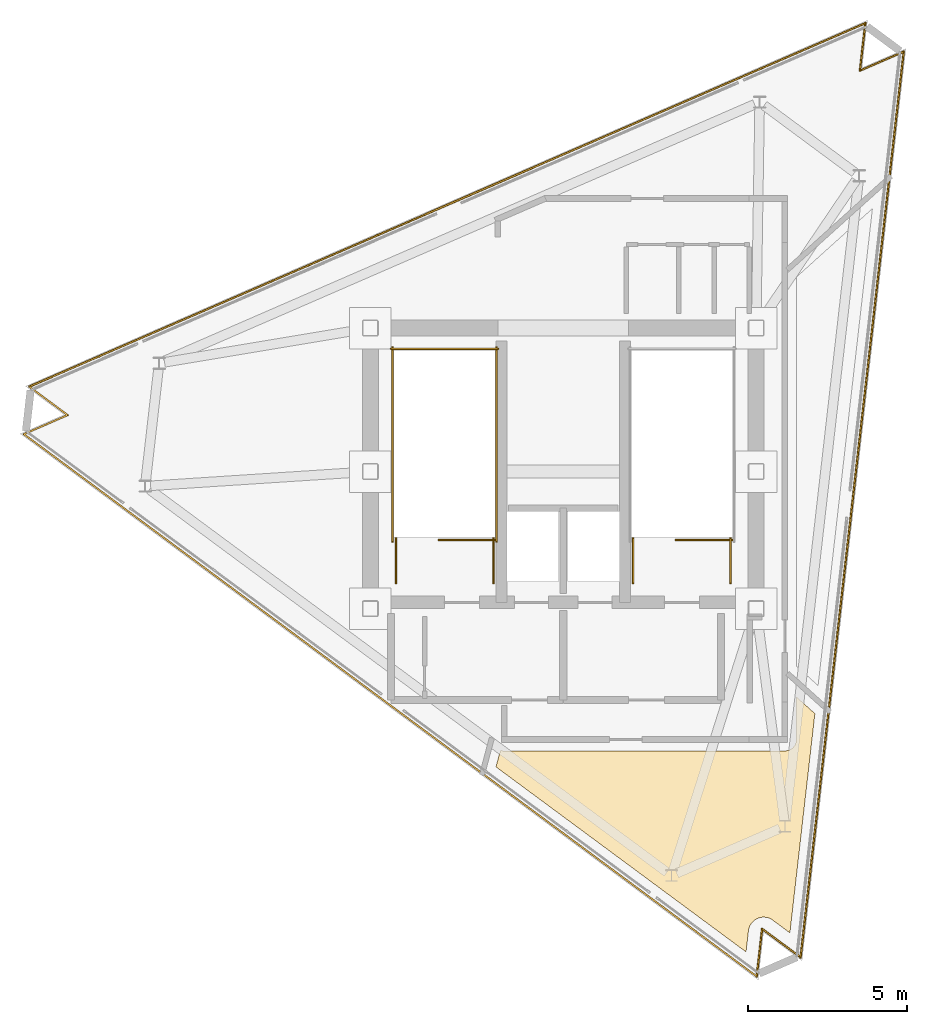
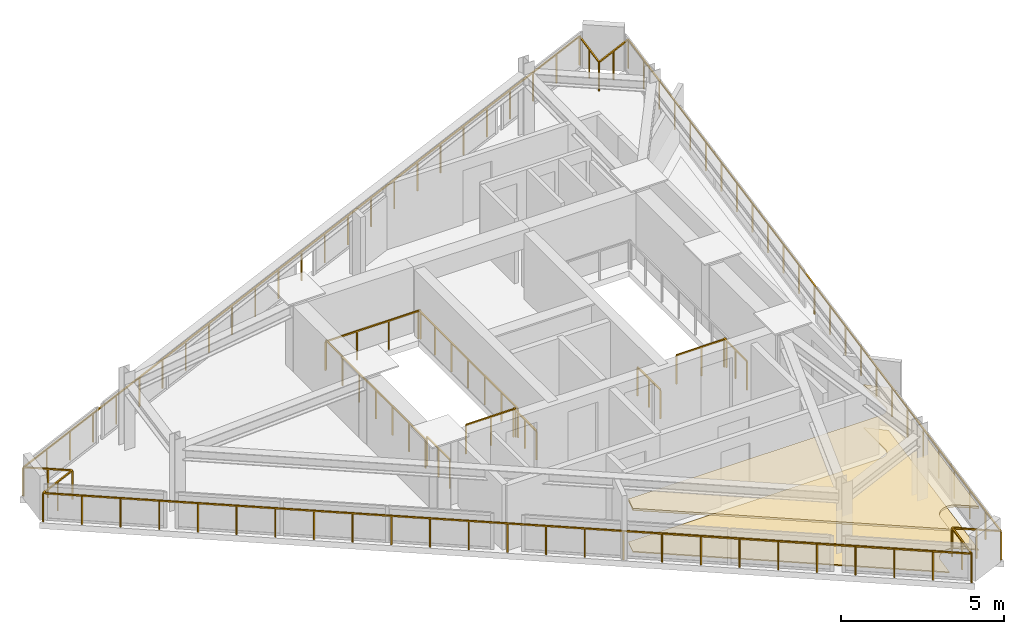
# One storey, part 8 of 9: 12 railings, 2 coverings.
"""IFC4 building model written with IfcOpenShell, lengths in metres."""

from ifc_helpers import new_model, si_unit, direction, frame, origin, origin_2d, place, context, subcontext, project, spatial, polyline, rectangle, outline, extrude, material, layer, layer_set, type_object, element, save


model = new_model("IFC4")

# Units and contexts
model_context = context("Model", 3, precision=1e-05, world=origin(), true_north=direction((0.0, 1.0)))
body_context = subcontext(model_context, "Body", "Model", "MODEL_VIEW")
ifc_project = project(units=[si_unit("LENGTHUNIT", "METRE"), si_unit("AREAUNIT", "SQUARE_METRE"), si_unit("VOLUMEUNIT", "CUBIC_METRE"), si_unit("PLANEANGLEUNIT", "RADIAN"), si_unit("MASSUNIT", "GRAM", prefix="KILO")], contexts=[model_context])

# Site, building, storey
site_placement = place(None, origin())
site = spatial("IfcSite", under=ifc_project, at=site_placement, CompositionType="ELEMENT")
building_placement = place(site_placement, origin())
building = spatial("IfcBuilding", under=site, at=building_placement, Name="Rocaltana Carrier Exchange", CompositionType="ELEMENT")
storey_placement = place(building_placement, frame((0.0, 0.0, 254.8798828125)))
storey = spatial("IfcBuildingStorey", under=building, at=storey_placement, Name="L81", CompositionType="ELEMENT", Elevation=254.8798828125)

# Coverings
ifc_material_1 = material(Name="Honed Bogota Sandstone Tile", Category="masonry")
ifc_layer_1 = layer(ifc_material_1, 0.0400390625)
ifc_layer_set_1 = layer_set([ifc_layer_1], Name="Honed Bogota Sandstone Tile")
covering_type_1 = type_object("IfcCoveringType", Name="Honed Stone Lobby Flooring 40", PredefinedType="FLOORING", material=ifc_layer_set_1)
covering_1_placement = place(storey_placement, origin())
element("IfcCovering", 1, at=covering_1_placement, inside=storey, type_object=covering_type_1, Name="L81 Optical Switching Laboratory Finish Floor", PredefinedType="FLOORING", context=body_context, shape_type="SweptSolid", body=[
    extrude(outline(polyline([(-1.968994140625, -8.739501953125), (-1.967529296875, -8.740234375), (-1.94140625, -8.748291015625), (-1.93359375, -8.75), (-1.90673828125, -8.75537109375), (-1.89892578125, -8.756591796875), (-1.87158203125, -8.75927734375), (-1.86376953125, -8.759765625), (-1.85009765625, -8.760009765625), (6.949951171875, -8.760009765625), (6.963623046875, -8.759765625), (6.9716796875, -8.75927734375), (6.998779296875, -8.756591796875), (7.006591796875, -8.75537109375), (7.03369140625, -8.75), (7.041259765625, -8.748291015625), (7.067626953125, -8.740234375), (7.074951171875, -8.737548828125), (7.100341796875, -8.72705078125), (7.107421875, -8.7236328125), (7.131591796875, -8.710693359375), (7.138427734375, -8.706787109375), (7.1611328125, -8.69140625), (7.16748046875, -8.686767578125), (7.188720703125, -8.669189453125), (7.194580078125, -8.6640625), (7.214111328125, -8.64453125), (7.21923828125, -8.638916015625), (7.23681640625, -8.617431640625), (7.241455078125, -8.611083984375), (7.256591796875, -8.58837890625), (7.2607421875, -8.581787109375), (7.273681640625, -8.557373046875), (7.277099609375, -8.55029296875), (7.28759765625, -8.52490234375), (7.290283203125, -8.517578125), (7.298095703125, -8.4912109375), (7.300048828125, -8.483642578125), (7.305419921875, -8.456787109375), (7.306640625, -8.448974609375), (7.309326171875, -8.421630859375), (7.309814453125, -8.413818359375), (7.31005859375, -8.39990234375), (7.31005859375, -7.06640625), (7.891357421875, -7.58984375), (7.10791015625, -14.46630859375), (6.5703125, -14.068603515625), (6.55908203125, -14.060546875), (6.54248046875, -14.049560546875), (6.518310546875, -14.03515625), (6.500732421875, -14.02587890625), (6.4755859375, -14.013916015625), (6.45703125, -14.006591796875), (6.4306640625, -13.997314453125), (6.41162109375, -13.99169921875), (6.384521484375, -13.985107421875), (6.364990234375, -13.981201171875), (6.337158203125, -13.977294921875), (6.3173828125, -13.9755859375), (6.28955078125, -13.974609375), (6.26953125, -13.974853515625), (6.24169921875, -13.9765625), (6.221923828125, -13.978759765625), (6.1943359375, -13.983154296875), (6.1748046875, -13.9873046875), (6.147705078125, -13.994384765625), (6.12890625, -14.00048828125), (6.102783203125, -14.010498046875), (6.08447265625, -14.018310546875), (6.059326171875, -14.03076171875), (6.0419921875, -14.04052734375), (6.018310546875, -14.055419921875), (6.001953125, -14.06689453125), (5.97998046875, -14.083984375), (5.96484375, -14.096923828125), (5.944580078125, -14.1162109375), (5.930908203125, -14.130615234375), (5.91259765625, -14.151611328125), (5.900390625, -14.16748046875), (5.88427734375, -14.190185546875), (5.873779296875, -14.20703125), (5.860107421875, -14.2314453125), (5.85107421875, -14.249267578125), (5.83984375, -14.27490234375), (5.832763671875, -14.29345703125), (5.82421875, -14.320068359375), (5.819091796875, -14.33935546875), (5.813232421875, -14.36669921875), (5.809814453125, -14.38623046875), (5.80810546875, -14.400146484375), (5.732421875, -15.064208984375), (-2.109130859375, -9.261962890625), (-1.968994140625, -8.739501953125)])), origin(), (0.0, 0.0, 1.0), 0.0400390625),
])
ifc_material_2 = material(Name="Anodised Aluminium 6063-T6", Category="aluminium")
ifc_layer_2 = layer(ifc_material_2, 0.0849609375)
ifc_layer_set_2 = layer_set([ifc_layer_2], Name="Anodised Aluminium 6063-T6")
covering_type_2 = type_object("IfcCoveringType", Name="Linear Baffle Acoustic Ceiling 85", PredefinedType="CEILING", material=ifc_layer_set_2)
covering_2_placement = place(storey_placement, frame((0.0, 0.0, 1.563232421875)))
element("IfcCovering", 2, at=covering_2_placement, inside=storey, type_object=covering_type_2, Name="L81 Optical Switching Laboratory Acoustic Ceiling", PredefinedType="CEILING", context=body_context, shape_type="SweptSolid", body=[
    extrude(outline(polyline([(-1.968994140625, -8.739501953125), (-1.967529296875, -8.740234375), (-1.94140625, -8.748291015625), (-1.93359375, -8.75), (-1.90673828125, -8.75537109375), (-1.89892578125, -8.756591796875), (-1.87158203125, -8.75927734375), (-1.86376953125, -8.759765625), (-1.85009765625, -8.760009765625), (6.949951171875, -8.760009765625), (6.963623046875, -8.759765625), (6.9716796875, -8.75927734375), (6.998779296875, -8.756591796875), (7.006591796875, -8.75537109375), (7.03369140625, -8.75), (7.041259765625, -8.748291015625), (7.067626953125, -8.740234375), (7.074951171875, -8.737548828125), (7.100341796875, -8.72705078125), (7.107421875, -8.7236328125), (7.131591796875, -8.710693359375), (7.138427734375, -8.706787109375), (7.1611328125, -8.69140625), (7.16748046875, -8.686767578125), (7.188720703125, -8.669189453125), (7.194580078125, -8.6640625), (7.214111328125, -8.64453125), (7.21923828125, -8.638916015625), (7.23681640625, -8.617431640625), (7.241455078125, -8.611083984375), (7.256591796875, -8.58837890625), (7.2607421875, -8.581787109375), (7.273681640625, -8.557373046875), (7.277099609375, -8.55029296875), (7.28759765625, -8.52490234375), (7.290283203125, -8.517578125), (7.298095703125, -8.4912109375), (7.300048828125, -8.483642578125), (7.305419921875, -8.456787109375), (7.306640625, -8.448974609375), (7.309326171875, -8.421630859375), (7.309814453125, -8.413818359375), (7.31005859375, -8.39990234375), (7.31005859375, -7.06640625), (7.891357421875, -7.58984375), (7.10791015625, -14.46630859375), (6.5703125, -14.068603515625), (6.55908203125, -14.060546875), (6.54248046875, -14.049560546875), (6.518310546875, -14.03515625), (6.500732421875, -14.02587890625), (6.4755859375, -14.013916015625), (6.45703125, -14.006591796875), (6.4306640625, -13.997314453125), (6.41162109375, -13.99169921875), (6.384521484375, -13.985107421875), (6.364990234375, -13.981201171875), (6.337158203125, -13.977294921875), (6.3173828125, -13.9755859375), (6.28955078125, -13.974609375), (6.26953125, -13.974853515625), (6.24169921875, -13.9765625), (6.221923828125, -13.978759765625), (6.1943359375, -13.983154296875), (6.1748046875, -13.9873046875), (6.147705078125, -13.994384765625), (6.12890625, -14.00048828125), (6.102783203125, -14.010498046875), (6.08447265625, -14.018310546875), (6.059326171875, -14.03076171875), (6.0419921875, -14.04052734375), (6.018310546875, -14.055419921875), (6.001953125, -14.06689453125), (5.97998046875, -14.083984375), (5.96484375, -14.096923828125), (5.944580078125, -14.1162109375), (5.930908203125, -14.130615234375), (5.91259765625, -14.151611328125), (5.900390625, -14.16748046875), (5.88427734375, -14.190185546875), (5.873779296875, -14.20703125), (5.860107421875, -14.2314453125), (5.85107421875, -14.249267578125), (5.83984375, -14.27490234375), (5.832763671875, -14.29345703125), (5.82421875, -14.320068359375), (5.819091796875, -14.33935546875), (5.813232421875, -14.36669921875), (5.809814453125, -14.38623046875), (5.80810546875, -14.400146484375), (5.732421875, -15.064208984375), (-2.109130859375, -9.261962890625), (-1.968994140625, -8.739501953125)])), origin(), (0.0, 0.0, 1.0), 0.0849609375),
])

# Railings
ifc_material_3 = material(Name="Powder-Coated Aluminium 6063-T6", Category="aluminium")
ifc_layer_3 = layer(ifc_material_3, 0.048095703125)
ifc_layer_set_3 = layer_set([ifc_layer_3], Name="Powder-Coated Aluminium 6063-T6")
railing_type_1 = type_object("IfcRailingType", Name="Stair Well Guardrail 1100", PredefinedType="GUARDRAIL", material=ifc_layer_set_3)
railing_1_placement = place(storey_placement, frame((-2.139892578125, -2.14990234375, 0.0)))
element("IfcRailing", 3, at=railing_1_placement, inside=storey, type_object=railing_type_1, Name="L81 ST-1 top well guard 1", PredefinedType="GUARDRAIL", context=body_context, shape_type="SweptSolid", body=[
    extrude(rectangle(XDim=0.048095703125, YDim=0.048095703125, at=origin_2d()), frame((0.0, 0.0, 1.076171875), z_axis=(-1.0, 0.0, 0.0), x_axis=(0.0, -1.0, 0.0)), (0.0, 0.0, 1.0), 1.760009765625),
    extrude(rectangle(XDim=0.0419921875, YDim=0.0419921875, at=origin_2d()), origin(), (0.0, 0.0, 1.0), 1.052001953125),
    extrude(rectangle(XDim=0.0419921875, YDim=0.0419921875, at=origin_2d()), frame((-0.8798828125, 0.0, 0.0)), (0.0, 0.0, 1.0), 1.052001953125),
    extrude(rectangle(XDim=0.0419921875, YDim=0.0419921875, at=origin_2d()), frame((-1.760009765625, 0.0, 0.0)), (0.0, 0.0, 1.0), 1.052001953125),
])
for number, where, name in (
    (4, (-2.090087890625, -2.199951171875, 0.0), "L81 ST-1 top well guard 2"),
    (5, (-5.35009765625, -2.199951171875, 0.0), "L81 ST-1 top well guard 3"),
):
    element("IfcRailing", number, at=place(storey_placement, frame(where)), inside=storey, type_object=railing_type_1, Name=name, PredefinedType="GUARDRAIL", context=body_context, shape_type="SweptSolid", body=[
        extrude(rectangle(XDim=0.048095703125, YDim=0.048095703125, at=origin_2d()), frame((0.0, 0.0, 1.076171875), z_axis=(0.0, 1.0, 0.0), x_axis=(-1.0, 0.0, 0.0)), (0.0, 0.0, 1.0), 6.099853515625),
        extrude(rectangle(XDim=0.0419921875, YDim=0.0419921875, at=origin_2d()), origin(), (0.0, 0.0, 1.0), 1.052001953125),
        extrude(rectangle(XDim=0.0419921875, YDim=0.0419921875, at=origin_2d()), frame((0.0, 1.0166015625, 0.0)), (0.0, 0.0, 1.0), 1.052001953125),
        extrude(rectangle(XDim=0.0419921875, YDim=0.0419921875, at=origin_2d()), frame((0.0, 2.033203125, 0.0)), (0.0, 0.0, 1.0), 1.052001953125),
        extrude(rectangle(XDim=0.0419921875, YDim=0.0419921875, at=origin_2d()), frame((0.0, 3.0498046875, 0.0)), (0.0, 0.0, 1.0), 1.052001953125),
        extrude(rectangle(XDim=0.0419921875, YDim=0.0419921875, at=origin_2d()), frame((0.0, 4.066650390625, 0.0)), (0.0, 0.0, 1.0), 1.052001953125),
        extrude(rectangle(XDim=0.0419921875, YDim=0.0419921875, at=origin_2d()), frame((0.0, 5.083251953125, 0.0)), (0.0, 0.0, 1.0), 1.052001953125),
        extrude(rectangle(XDim=0.0419921875, YDim=0.0419921875, at=origin_2d()), frame((0.0, 6.099853515625, 0.0)), (0.0, 0.0, 1.0), 1.052001953125),
    ])
railing_2_placement = place(storey_placement, frame((-2.0400390625, 3.85009765625, 0.0)))
element("IfcRailing", 6, at=railing_2_placement, inside=storey, type_object=railing_type_1, Name="L81 ST-1 top well guard 4", PredefinedType="GUARDRAIL", context=body_context, shape_type="SweptSolid", body=[
    extrude(rectangle(XDim=0.048095703125, YDim=0.048095703125, at=origin_2d()), frame((0.0, 0.0, 1.076171875), z_axis=(-1.0, 0.0, 0.0), x_axis=(0.0, -1.0, 0.0)), (0.0, 0.0, 1.0), 3.35986328125),
    extrude(rectangle(XDim=0.0419921875, YDim=0.0419921875, at=origin_2d()), origin(), (0.0, 0.0, 1.0), 1.052001953125),
    extrude(rectangle(XDim=0.0419921875, YDim=0.0419921875, at=origin_2d()), frame((-1.119873046875, 0.0, 0.0)), (0.0, 0.0, 1.0), 1.052001953125),
    extrude(rectangle(XDim=0.0419921875, YDim=0.0419921875, at=origin_2d()), frame((-2.239990234375, 0.0, 0.0)), (0.0, 0.0, 1.0), 1.052001953125),
    extrude(rectangle(XDim=0.0419921875, YDim=0.0419921875, at=origin_2d()), frame((-3.35986328125, 0.0, 0.0)), (0.0, 0.0, 1.0), 1.052001953125),
])
for number, where, name in (
    (7, (-2.18994140625, -3.5, 0.0), "L81 ST-1 top well guard 5"),
    (8, (-5.25, -3.5, 0.0), "L81 ST-1 top well guard 6"),
):
    element("IfcRailing", number, at=place(storey_placement, frame(where)), inside=storey, type_object=railing_type_1, Name=name, PredefinedType="GUARDRAIL", context=body_context, shape_type="SweptSolid", body=[
        extrude(rectangle(XDim=0.048095703125, YDim=0.048095703125, at=origin_2d()), frame((0.0, 0.0, 1.076171875), z_axis=(0.0, 1.0, 0.0), x_axis=(-1.0, 0.0, 0.0)), (0.0, 0.0, 1.0), 1.39990234375),
        extrude(rectangle(XDim=0.0419921875, YDim=0.0419921875, at=origin_2d()), origin(), (0.0, 0.0, 1.0), 1.052001953125),
        extrude(rectangle(XDim=0.0419921875, YDim=0.0419921875, at=origin_2d()), frame((0.0, 0.699951171875, 0.0)), (0.0, 0.0, 1.0), 1.052001953125),
        extrude(rectangle(XDim=0.0419921875, YDim=0.0419921875, at=origin_2d()), frame((0.0, 1.39990234375, 0.0)), (0.0, 0.0, 1.0), 1.052001953125),
    ])
railing_3_placement = place(storey_placement, frame((5.300048828125, -2.14990234375, 0.0)))
element("IfcRailing", 9, at=railing_3_placement, inside=storey, type_object=railing_type_1, Name="L81 ST-2 top well guard 1", PredefinedType="GUARDRAIL", context=body_context, shape_type="SweptSolid", body=[
    extrude(rectangle(XDim=0.048095703125, YDim=0.048095703125, at=origin_2d()), frame((0.0, 0.0, 1.076171875), z_axis=(-1.0, 0.0, 0.0), x_axis=(0.0, -1.0, 0.0)), (0.0, 0.0, 1.0), 1.760009765625),
    extrude(rectangle(XDim=0.0419921875, YDim=0.0419921875, at=origin_2d()), origin(), (0.0, 0.0, 1.0), 1.052001953125),
    extrude(rectangle(XDim=0.0419921875, YDim=0.0419921875, at=origin_2d()), frame((-0.8798828125, 0.0, 0.0)), (0.0, 0.0, 1.0), 1.052001953125),
    extrude(rectangle(XDim=0.0419921875, YDim=0.0419921875, at=origin_2d()), frame((-1.760009765625, 0.0, 0.0)), (0.0, 0.0, 1.0), 1.052001953125),
])
for number, where, name in (
    (10, (5.25, -3.5, 0.0), "L81 ST-2 top well guard 5"),
    (11, (2.18994140625, -3.5, 0.0), "L81 ST-2 top well guard 6"),
):
    element("IfcRailing", number, at=place(storey_placement, frame(where)), inside=storey, type_object=railing_type_1, Name=name, PredefinedType="GUARDRAIL", context=body_context, shape_type="SweptSolid", body=[
        extrude(rectangle(XDim=0.048095703125, YDim=0.048095703125, at=origin_2d()), frame((0.0, 0.0, 1.076171875), z_axis=(0.0, 1.0, 0.0), x_axis=(-1.0, 0.0, 0.0)), (0.0, 0.0, 1.0), 1.39990234375),
        extrude(rectangle(XDim=0.0419921875, YDim=0.0419921875, at=origin_2d()), origin(), (0.0, 0.0, 1.0), 1.052001953125),
        extrude(rectangle(XDim=0.0419921875, YDim=0.0419921875, at=origin_2d()), frame((0.0, 0.699951171875, 0.0)), (0.0, 0.0, 1.0), 1.052001953125),
        extrude(rectangle(XDim=0.0419921875, YDim=0.0419921875, at=origin_2d()), frame((0.0, 1.39990234375, 0.0)), (0.0, 0.0, 1.0), 1.052001953125),
    ])
ifc_material_4 = material(Name="Powder-Coated Aluminium 6063-T6", Category="aluminium")
ifc_layer_4 = layer(ifc_material_4, 0.06005859375)
ifc_layer_set_4 = layer_set([ifc_layer_4], Name="Powder-Coated Aluminium 6063-T6")
railing_type_2 = type_object("IfcRailingType", Name="Wind-Floor & Terrace Perimeter Guardrail 1100", PredefinedType="GUARDRAIL", material=ifc_layer_set_4)
railing_4_placement = place(storey_placement, frame((6.0673828125, -15.834716796875, 0.0)))
element("IfcRailing", 12, at=railing_4_placement, inside=storey, type_object=railing_type_2, Name="L81 Perimeter Balcony Guardrail 1", PredefinedType="GUARDRAIL", context=body_context, shape_type="SweptSolid", body=[
    extrude(rectangle(XDim=0.048095703125, YDim=0.048095703125, at=origin_2d()), frame((0.0, 0.0, 1.076171875), z_axis=(-0.803857495436, 0.594821928843, 0.0), x_axis=(-0.594821928843, -0.803857495436, 0.0)), (0.0, 0.0, 1.0), 28.59228515625),
    extrude(rectangle(XDim=0.048095703125, YDim=0.048095703125, at=origin_2d()), frame((-22.984130859375, 17.00732421875, 1.076171875), z_axis=(0.917070056253, 0.398726111414, 0.0), x_axis=(-0.398726111414, 0.917070056253, 0.0)), (0.0, 0.0, 1.0), 1.500244140625),
    extrude(rectangle(XDim=0.048095703125, YDim=0.048095703125, at=origin_2d()), frame((-21.6083984375, 17.60546875, 1.076171875), z_axis=(-0.803908826949, 0.594752551867, 0.0), x_axis=(-0.594752551867, -0.803908826949, 0.0)), (0.0, 0.0, 1.0), 1.5),
    extrude(rectangle(XDim=0.0419921875, YDim=0.0419921875, at=origin_2d()), origin(), (0.0, 0.0, 1.0), 1.052001953125),
    extrude(rectangle(XDim=0.0419921875, YDim=0.0419921875, at=origin_2d()), frame((-0.957763671875, 0.708740234375, 0.0)), (0.0, 0.0, 1.0), 1.052001953125),
    extrude(rectangle(XDim=0.0419921875, YDim=0.0419921875, at=origin_2d()), frame((-1.915283203125, 1.417236328125, 0.0)), (0.0, 0.0, 1.0), 1.052001953125),
    extrude(rectangle(XDim=0.0419921875, YDim=0.0419921875, at=origin_2d()), frame((-2.873046875, 2.1259765625, 0.0)), (0.0, 0.0, 1.0), 1.052001953125),
    extrude(rectangle(XDim=0.0419921875, YDim=0.0419921875, at=origin_2d()), frame((-3.83056640625, 2.83447265625, 0.0)), (0.0, 0.0, 1.0), 1.052001953125),
    extrude(rectangle(XDim=0.0419921875, YDim=0.0419921875, at=origin_2d()), frame((-4.788330078125, 3.543212890625, 0.0)), (0.0, 0.0, 1.0), 1.052001953125),
    extrude(rectangle(XDim=0.0419921875, YDim=0.0419921875, at=origin_2d()), frame((-5.74609375, 4.251953125, 0.0)), (0.0, 0.0, 1.0), 1.052001953125),
    extrude(rectangle(XDim=0.0419921875, YDim=0.0419921875, at=origin_2d()), frame((-6.70361328125, 4.96044921875, 0.0)), (0.0, 0.0, 1.0), 1.052001953125),
    extrude(rectangle(XDim=0.0419921875, YDim=0.0419921875, at=origin_2d()), frame((-7.661376953125, 5.669189453125, 0.0)), (0.0, 0.0, 1.0), 1.052001953125),
    extrude(rectangle(XDim=0.0419921875, YDim=0.0419921875, at=origin_2d()), frame((-8.619140625, 6.377685546875, 0.0)), (0.0, 0.0, 1.0), 1.052001953125),
    extrude(rectangle(XDim=0.0419921875, YDim=0.0419921875, at=origin_2d()), frame((-9.57666015625, 7.08642578125, 0.0)), (0.0, 0.0, 1.0), 1.052001953125),
    extrude(rectangle(XDim=0.0419921875, YDim=0.0419921875, at=origin_2d()), frame((-10.534423828125, 7.794921875, 0.0)), (0.0, 0.0, 1.0), 1.052001953125),
    extrude(rectangle(XDim=0.0419921875, YDim=0.0419921875, at=origin_2d()), frame((-11.4921875, 8.503662109375, 0.0)), (0.0, 0.0, 1.0), 1.052001953125),
    extrude(rectangle(XDim=0.0419921875, YDim=0.0419921875, at=origin_2d()), frame((-12.44970703125, 9.21240234375, 0.0)), (0.0, 0.0, 1.0), 1.052001953125),
    extrude(rectangle(XDim=0.0419921875, YDim=0.0419921875, at=origin_2d()), frame((-13.407470703125, 9.9208984375, 0.0)), (0.0, 0.0, 1.0), 1.052001953125),
    extrude(rectangle(XDim=0.0419921875, YDim=0.0419921875, at=origin_2d()), frame((-14.364990234375, 10.629638671875, 0.0)), (0.0, 0.0, 1.0), 1.052001953125),
    extrude(rectangle(XDim=0.0419921875, YDim=0.0419921875, at=origin_2d()), frame((-15.32275390625, 11.338134765625, 0.0)), (0.0, 0.0, 1.0), 1.052001953125),
    extrude(rectangle(XDim=0.0419921875, YDim=0.0419921875, at=origin_2d()), frame((-16.280517578125, 12.046875, 0.0)), (0.0, 0.0, 1.0), 1.052001953125),
    extrude(rectangle(XDim=0.0419921875, YDim=0.0419921875, at=origin_2d()), frame((-17.238037109375, 12.75537109375, 0.0)), (0.0, 0.0, 1.0), 1.052001953125),
    extrude(rectangle(XDim=0.0419921875, YDim=0.0419921875, at=origin_2d()), frame((-18.19580078125, 13.464111328125, 0.0)), (0.0, 0.0, 1.0), 1.052001953125),
    extrude(rectangle(XDim=0.0419921875, YDim=0.0419921875, at=origin_2d()), frame((-19.1533203125, 14.1728515625, 0.0)), (0.0, 0.0, 1.0), 1.052001953125),
    extrude(rectangle(XDim=0.0419921875, YDim=0.0419921875, at=origin_2d()), frame((-20.111083984375, 14.88134765625, 0.0)), (0.0, 0.0, 1.0), 1.052001953125),
    extrude(rectangle(XDim=0.0419921875, YDim=0.0419921875, at=origin_2d()), frame((-21.06884765625, 15.590087890625, 0.0)), (0.0, 0.0, 1.0), 1.052001953125),
    extrude(rectangle(XDim=0.0419921875, YDim=0.0419921875, at=origin_2d()), frame((-22.0263671875, 16.298583984375, 0.0)), (0.0, 0.0, 1.0), 1.052001953125),
    extrude(rectangle(XDim=0.0419921875, YDim=0.0419921875, at=origin_2d()), frame((-22.984130859375, 17.00732421875, 0.0)), (0.0, 0.0, 1.0), 1.052001953125),
    extrude(rectangle(XDim=0.0419921875, YDim=0.0419921875, at=origin_2d()), frame((-22.29638671875, 17.306396484375, 0.0)), (0.0, 0.0, 1.0), 1.052001953125),
    extrude(rectangle(XDim=0.0419921875, YDim=0.0419921875, at=origin_2d()), frame((-21.6083984375, 17.60546875, 0.0)), (0.0, 0.0, 1.0), 1.052001953125),
    extrude(rectangle(XDim=0.0419921875, YDim=0.0419921875, at=origin_2d()), frame((-22.21142578125, 18.051513671875, 0.0)), (0.0, 0.0, 1.0), 1.052001953125),
    extrude(rectangle(XDim=0.0419921875, YDim=0.0419921875, at=origin_2d()), frame((-22.814208984375, 18.49755859375, 0.0)), (0.0, 0.0, 1.0), 1.052001953125),
])
railing_5_placement = place(storey_placement, frame((-16.746826171875, 2.662841796875, 0.0)))
element("IfcRailing", 13, at=railing_5_placement, inside=storey, type_object=railing_type_2, Name="L81 Perimeter Balcony Guardrail 2", PredefinedType="GUARDRAIL", context=body_context, shape_type="SweptSolid", body=[
    extrude(rectangle(XDim=0.048095703125, YDim=0.048095703125, at=origin_2d()), frame((0.0, 0.0, 1.076171875), z_axis=(0.917059603121, 0.398750152757, 0.0), x_axis=(-0.398750152757, 0.917059603121, 0.0)), (0.0, 0.0, 1.0), 28.592041015625),
    extrude(rectangle(XDim=0.048095703125, YDim=0.048095703125, at=origin_2d()), frame((26.220703125, 11.401123046875, 1.076171875), z_axis=(-0.113271190728, -0.993564108325, 0.0), x_axis=(0.993564108325, -0.113271190728, 0.0)), (0.0, 0.0, 1.0), 1.500244140625),
    extrude(rectangle(XDim=0.048095703125, YDim=0.048095703125, at=origin_2d()), frame((26.05078125, 9.91064453125, 1.076171875), z_axis=(0.917070056253, 0.398726111414, 0.0), x_axis=(-0.398726111414, 0.917070056253, 0.0)), (0.0, 0.0, 1.0), 1.500244140625),
    extrude(rectangle(XDim=0.0419921875, YDim=0.0419921875, at=origin_2d()), origin(), (0.0, 0.0, 1.0), 1.052001953125),
    extrude(rectangle(XDim=0.0419921875, YDim=0.0419921875, at=origin_2d()), frame((1.092529296875, 0.47509765625, 0.0)), (0.0, 0.0, 1.0), 1.052001953125),
    extrude(rectangle(XDim=0.0419921875, YDim=0.0419921875, at=origin_2d()), frame((2.18505859375, 0.9501953125, 0.0)), (0.0, 0.0, 1.0), 1.052001953125),
    extrude(rectangle(XDim=0.0419921875, YDim=0.0419921875, at=origin_2d()), frame((3.277587890625, 1.425048828125, 0.0)), (0.0, 0.0, 1.0), 1.052001953125),
    extrude(rectangle(XDim=0.0419921875, YDim=0.0419921875, at=origin_2d()), frame((4.3701171875, 1.900146484375, 0.0)), (0.0, 0.0, 1.0), 1.052001953125),
    extrude(rectangle(XDim=0.0419921875, YDim=0.0419921875, at=origin_2d()), frame((5.462646484375, 2.375244140625, 0.0)), (0.0, 0.0, 1.0), 1.052001953125),
    extrude(rectangle(XDim=0.0419921875, YDim=0.0419921875, at=origin_2d()), frame((6.55517578125, 2.850341796875, 0.0)), (0.0, 0.0, 1.0), 1.052001953125),
    extrude(rectangle(XDim=0.0419921875, YDim=0.0419921875, at=origin_2d()), frame((7.647705078125, 3.325439453125, 0.0)), (0.0, 0.0, 1.0), 1.052001953125),
    extrude(rectangle(XDim=0.0419921875, YDim=0.0419921875, at=origin_2d()), frame((8.740234375, 3.80029296875, 0.0)), (0.0, 0.0, 1.0), 1.052001953125),
    extrude(rectangle(XDim=0.0419921875, YDim=0.0419921875, at=origin_2d()), frame((9.832763671875, 4.275390625, 0.0)), (0.0, 0.0, 1.0), 1.052001953125),
    extrude(rectangle(XDim=0.0419921875, YDim=0.0419921875, at=origin_2d()), frame((10.92529296875, 4.75048828125, 0.0)), (0.0, 0.0, 1.0), 1.052001953125),
    extrude(rectangle(XDim=0.0419921875, YDim=0.0419921875, at=origin_2d()), frame((12.017822265625, 5.2255859375, 0.0)), (0.0, 0.0, 1.0), 1.052001953125),
    extrude(rectangle(XDim=0.0419921875, YDim=0.0419921875, at=origin_2d()), frame((13.1103515625, 5.70068359375, 0.0)), (0.0, 0.0, 1.0), 1.052001953125),
    extrude(rectangle(XDim=0.0419921875, YDim=0.0419921875, at=origin_2d()), frame((14.202880859375, 6.175537109375, 0.0)), (0.0, 0.0, 1.0), 1.052001953125),
    extrude(rectangle(XDim=0.0419921875, YDim=0.0419921875, at=origin_2d()), frame((15.29541015625, 6.650634765625, 0.0)), (0.0, 0.0, 1.0), 1.052001953125),
    extrude(rectangle(XDim=0.0419921875, YDim=0.0419921875, at=origin_2d()), frame((16.387939453125, 7.125732421875, 0.0)), (0.0, 0.0, 1.0), 1.052001953125),
    extrude(rectangle(XDim=0.0419921875, YDim=0.0419921875, at=origin_2d()), frame((17.48046875, 7.600830078125, 0.0)), (0.0, 0.0, 1.0), 1.052001953125),
    extrude(rectangle(XDim=0.0419921875, YDim=0.0419921875, at=origin_2d()), frame((18.572998046875, 8.07568359375, 0.0)), (0.0, 0.0, 1.0), 1.052001953125),
    extrude(rectangle(XDim=0.0419921875, YDim=0.0419921875, at=origin_2d()), frame((19.66552734375, 8.55078125, 0.0)), (0.0, 0.0, 1.0), 1.052001953125),
    extrude(rectangle(XDim=0.0419921875, YDim=0.0419921875, at=origin_2d()), frame((20.758056640625, 9.02587890625, 0.0)), (0.0, 0.0, 1.0), 1.052001953125),
    extrude(rectangle(XDim=0.0419921875, YDim=0.0419921875, at=origin_2d()), frame((21.8505859375, 9.5009765625, 0.0)), (0.0, 0.0, 1.0), 1.052001953125),
    extrude(rectangle(XDim=0.0419921875, YDim=0.0419921875, at=origin_2d()), frame((22.943115234375, 9.97607421875, 0.0)), (0.0, 0.0, 1.0), 1.052001953125),
    extrude(rectangle(XDim=0.0419921875, YDim=0.0419921875, at=origin_2d()), frame((24.03564453125, 10.450927734375, 0.0)), (0.0, 0.0, 1.0), 1.052001953125),
    extrude(rectangle(XDim=0.0419921875, YDim=0.0419921875, at=origin_2d()), frame((25.128173828125, 10.926025390625, 0.0)), (0.0, 0.0, 1.0), 1.052001953125),
    extrude(rectangle(XDim=0.0419921875, YDim=0.0419921875, at=origin_2d()), frame((26.220703125, 11.401123046875, 0.0)), (0.0, 0.0, 1.0), 1.052001953125),
    extrude(rectangle(XDim=0.0419921875, YDim=0.0419921875, at=origin_2d()), frame((26.1357421875, 10.65576171875, 0.0)), (0.0, 0.0, 1.0), 1.052001953125),
    extrude(rectangle(XDim=0.0419921875, YDim=0.0419921875, at=origin_2d()), frame((26.05078125, 9.91064453125, 0.0)), (0.0, 0.0, 1.0), 1.052001953125),
    extrude(rectangle(XDim=0.0419921875, YDim=0.0419921875, at=origin_2d()), frame((26.73876953125, 10.209716796875, 0.0)), (0.0, 0.0, 1.0), 1.052001953125),
    extrude(rectangle(XDim=0.0419921875, YDim=0.0419921875, at=origin_2d()), frame((27.426513671875, 10.5087890625, 0.0)), (0.0, 0.0, 1.0), 1.052001953125),
])
railing_6_placement = place(storey_placement, frame((10.6796875, 13.171630859375, 0.0)))
element("IfcRailing", 14, at=railing_6_placement, inside=storey, type_object=railing_type_2, Name="L81 Perimeter Balcony Guardrail 3", PredefinedType="GUARDRAIL", context=body_context, shape_type="SweptSolid", body=[
    extrude(rectangle(XDim=0.048095703125, YDim=0.048095703125, at=origin_2d()), frame((0.0, 0.0, 1.076171875), z_axis=(-0.113207029041, -0.993571420974, 0.0), x_axis=(0.993571420974, -0.113207029041, 0.0)), (0.0, 0.0, 1.0), 28.592041015625),
    extrude(rectangle(XDim=0.048095703125, YDim=0.048095703125, at=origin_2d()), frame((-3.23681640625, -28.408203125, 1.076171875), z_axis=(-0.803908826949, 0.594752551867, 0.0), x_axis=(-0.594752551867, -0.803908826949, 0.0)), (0.0, 0.0, 1.0), 1.5),
    extrude(rectangle(XDim=0.048095703125, YDim=0.048095703125, at=origin_2d()), frame((-4.442626953125, -27.51611328125, 1.076171875), z_axis=(-0.113128821835, -0.993580328746, 0.0), x_axis=(0.993580328746, -0.113128821835, 0.0)), (0.0, 0.0, 1.0), 1.499755859375),
    extrude(rectangle(XDim=0.0419921875, YDim=0.0419921875, at=origin_2d()), origin(), (0.0, 0.0, 1.0), 1.052001953125),
    extrude(rectangle(XDim=0.0419921875, YDim=0.0419921875, at=origin_2d()), frame((-0.134765625, -1.18359375, 0.0)), (0.0, 0.0, 1.0), 1.052001953125),
    extrude(rectangle(XDim=0.0419921875, YDim=0.0419921875, at=origin_2d()), frame((-0.269775390625, -2.367431640625, 0.0)), (0.0, 0.0, 1.0), 1.052001953125),
    extrude(rectangle(XDim=0.0419921875, YDim=0.0419921875, at=origin_2d()), frame((-0.404541015625, -3.551025390625, 0.0)), (0.0, 0.0, 1.0), 1.052001953125),
    extrude(rectangle(XDim=0.0419921875, YDim=0.0419921875, at=origin_2d()), frame((-0.53955078125, -4.734619140625, 0.0)), (0.0, 0.0, 1.0), 1.052001953125),
    extrude(rectangle(XDim=0.0419921875, YDim=0.0419921875, at=origin_2d()), frame((-0.67431640625, -5.91845703125, 0.0)), (0.0, 0.0, 1.0), 1.052001953125),
    extrude(rectangle(XDim=0.0419921875, YDim=0.0419921875, at=origin_2d()), frame((-0.80908203125, -7.10205078125, 0.0)), (0.0, 0.0, 1.0), 1.052001953125),
    extrude(rectangle(XDim=0.0419921875, YDim=0.0419921875, at=origin_2d()), frame((-0.944091796875, -8.28564453125, 0.0)), (0.0, 0.0, 1.0), 1.052001953125),
    extrude(rectangle(XDim=0.0419921875, YDim=0.0419921875, at=origin_2d()), frame((-1.078857421875, -9.469482421875, 0.0)), (0.0, 0.0, 1.0), 1.052001953125),
    extrude(rectangle(XDim=0.0419921875, YDim=0.0419921875, at=origin_2d()), frame((-1.2138671875, -10.653076171875, 0.0)), (0.0, 0.0, 1.0), 1.052001953125),
    extrude(rectangle(XDim=0.0419921875, YDim=0.0419921875, at=origin_2d()), frame((-1.3486328125, -11.836669921875, 0.0)), (0.0, 0.0, 1.0), 1.052001953125),
    extrude(rectangle(XDim=0.0419921875, YDim=0.0419921875, at=origin_2d()), frame((-1.483642578125, -13.0205078125, 0.0)), (0.0, 0.0, 1.0), 1.052001953125),
    extrude(rectangle(XDim=0.0419921875, YDim=0.0419921875, at=origin_2d()), frame((-1.618408203125, -14.2041015625, 0.0)), (0.0, 0.0, 1.0), 1.052001953125),
    extrude(rectangle(XDim=0.0419921875, YDim=0.0419921875, at=origin_2d()), frame((-1.753173828125, -15.3876953125, 0.0)), (0.0, 0.0, 1.0), 1.052001953125),
    extrude(rectangle(XDim=0.0419921875, YDim=0.0419921875, at=origin_2d()), frame((-1.88818359375, -16.571533203125, 0.0)), (0.0, 0.0, 1.0), 1.052001953125),
    extrude(rectangle(XDim=0.0419921875, YDim=0.0419921875, at=origin_2d()), frame((-2.02294921875, -17.755126953125, 0.0)), (0.0, 0.0, 1.0), 1.052001953125),
    extrude(rectangle(XDim=0.0419921875, YDim=0.0419921875, at=origin_2d()), frame((-2.157958984375, -18.938720703125, 0.0)), (0.0, 0.0, 1.0), 1.052001953125),
    extrude(rectangle(XDim=0.0419921875, YDim=0.0419921875, at=origin_2d()), frame((-2.292724609375, -20.12255859375, 0.0)), (0.0, 0.0, 1.0), 1.052001953125),
    extrude(rectangle(XDim=0.0419921875, YDim=0.0419921875, at=origin_2d()), frame((-2.427734375, -21.30615234375, 0.0)), (0.0, 0.0, 1.0), 1.052001953125),
    extrude(rectangle(XDim=0.0419921875, YDim=0.0419921875, at=origin_2d()), frame((-2.5625, -22.48974609375, 0.0)), (0.0, 0.0, 1.0), 1.052001953125),
    extrude(rectangle(XDim=0.0419921875, YDim=0.0419921875, at=origin_2d()), frame((-2.697265625, -23.673583984375, 0.0)), (0.0, 0.0, 1.0), 1.052001953125),
    extrude(rectangle(XDim=0.0419921875, YDim=0.0419921875, at=origin_2d()), frame((-2.832275390625, -24.857177734375, 0.0)), (0.0, 0.0, 1.0), 1.052001953125),
    extrude(rectangle(XDim=0.0419921875, YDim=0.0419921875, at=origin_2d()), frame((-2.967041015625, -26.040771484375, 0.0)), (0.0, 0.0, 1.0), 1.052001953125),
    extrude(rectangle(XDim=0.0419921875, YDim=0.0419921875, at=origin_2d()), frame((-3.10205078125, -27.224609375, 0.0)), (0.0, 0.0, 1.0), 1.052001953125),
    extrude(rectangle(XDim=0.0419921875, YDim=0.0419921875, at=origin_2d()), frame((-3.23681640625, -28.408203125, 0.0)), (0.0, 0.0, 1.0), 1.052001953125),
    extrude(rectangle(XDim=0.0419921875, YDim=0.0419921875, at=origin_2d()), frame((-3.83984375, -27.962158203125, 0.0)), (0.0, 0.0, 1.0), 1.052001953125),
    extrude(rectangle(XDim=0.0419921875, YDim=0.0419921875, at=origin_2d()), frame((-4.442626953125, -27.51611328125, 0.0)), (0.0, 0.0, 1.0), 1.052001953125),
    extrude(rectangle(XDim=0.0419921875, YDim=0.0419921875, at=origin_2d()), frame((-4.52734375, -28.26123046875, 0.0)), (0.0, 0.0, 1.0), 1.052001953125),
    extrude(rectangle(XDim=0.0419921875, YDim=0.0419921875, at=origin_2d()), frame((-4.6123046875, -29.00634765625, 0.0)), (0.0, 0.0, 1.0), 1.052001953125),
])

save(model, "model.ifc")
